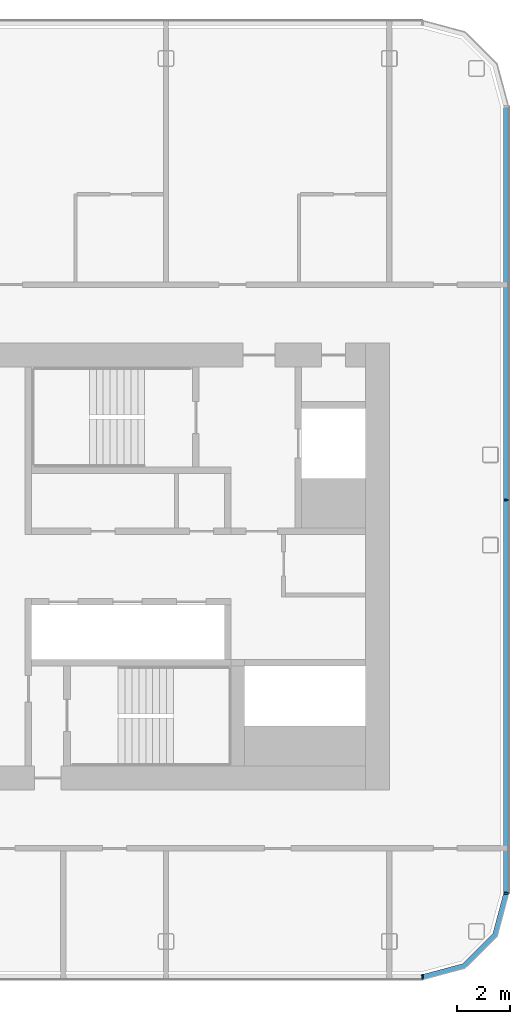
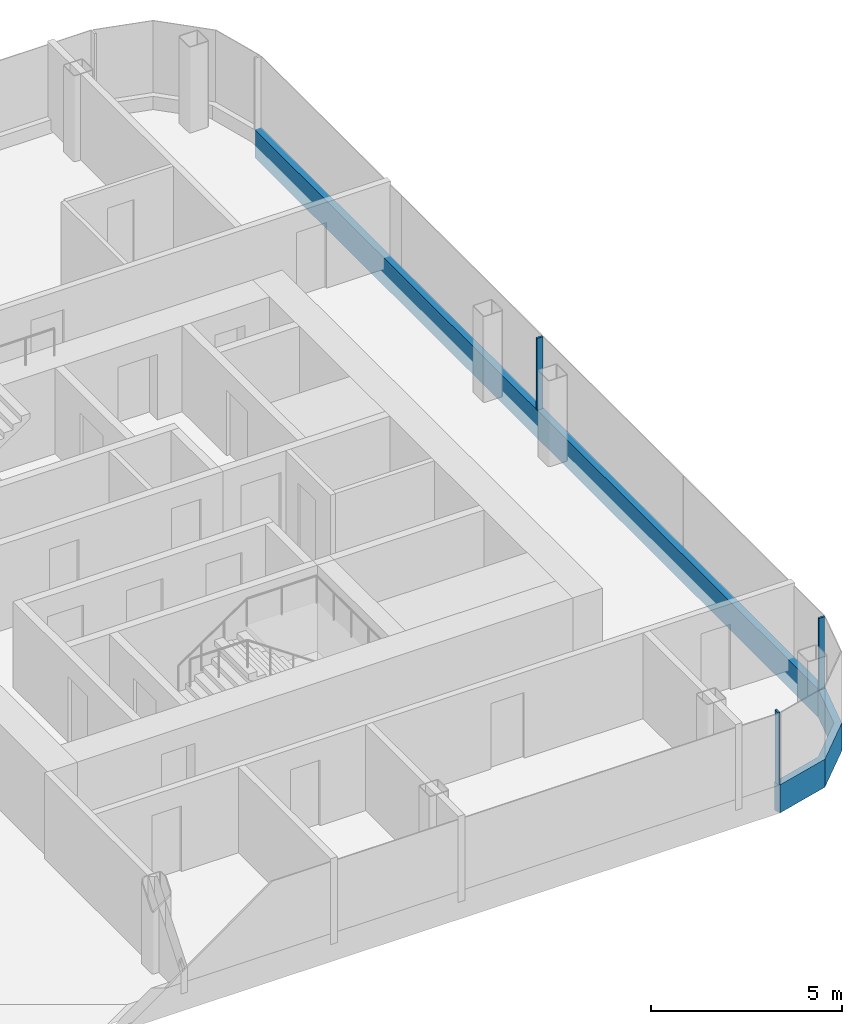
# One storey, part 10 of 25: 5 members, 3 elements without a shape of their own.
"""IFC4 building model written with IfcOpenShell, lengths in metres."""

from ifc_helpers import new_model, si_unit, direction, frame, origin, origin_2d, place, context, subcontext, project, spatial, polyline, rectangle, outline, extrude, material, layer, layer_set, material_profile, profile_set, type_object, element, aggregate, save


model = new_model("IFC4")

# Units and contexts
model_context = context("Model", 3, precision=1e-05, world=origin(), true_north=direction((0.0, 1.0)))
body_context = subcontext(model_context, "Body", "Model", "MODEL_VIEW")
ifc_project = project(units=[si_unit("LENGTHUNIT", "METRE"), si_unit("AREAUNIT", "SQUARE_METRE"), si_unit("VOLUMEUNIT", "CUBIC_METRE"), si_unit("PLANEANGLEUNIT", "RADIAN"), si_unit("MASSUNIT", "GRAM", prefix="KILO")], contexts=[model_context])

# Site, building, storey
site_placement = place(None, origin())
site = spatial("IfcSite", under=ifc_project, at=site_placement, CompositionType="ELEMENT")
building_placement = place(site_placement, origin())
building = spatial("IfcBuilding", under=site, at=building_placement, Name="Hakoniwa Tower and Hamabe Station Hall", CompositionType="ELEMENT")
storey_placement = place(building_placement, frame((0.0, 0.0, 202.60009765625)))
storey = spatial("IfcBuildingStorey", under=building, at=storey_placement, Name="L57", CompositionType="ELEMENT", Elevation=202.60009765625)

# Curtain wall, member
ifc_material_1 = material(Name="Dark low-e laminated glass", Category="glass")
ifc_layer = layer(ifc_material_1, 0.199951171875)
ifc_layer_set = layer_set([ifc_layer], Name="CW-1 UNITISED GUEST")
curtain_wall_type = type_object("IfcCurtainWallType", Name="CW-1 UNITISED GUEST", PredefinedType="NOTDEFINED", material=ifc_layer_set)
curtain_wall_1_placement = place(storey_placement, origin())
curtain_wall_1 = element("IfcCurtainWall", 1, at=curtain_wall_1_placement, inside=storey, type_object=curtain_wall_type, Name="CW-1 curtain wall", PredefinedType="NOTDEFINED")
ifc_material_2 = material(Name="Aluminium 6063-T5 black anodised", Category="aluminium")
ifc_material_profile_1 = material_profile(ifc_material_2, rectangle(XDim=0.199951171875, YDim=0.89990234375, at=origin_2d()), Name="CW SLAB-EDGE BAND 900X200")
ifc_profile_set_1 = profile_set([ifc_material_profile_1], Name="Aluminium 6063-T5 black anodised")
member_type_1 = type_object("IfcMemberType", Name="CW SLAB-EDGE BAND 900X200", PredefinedType="USERDEFINED", material=ifc_profile_set_1)
member_1_placement = place(storey_placement, frame((38.0, -12.28955078125, -0.10009765625), z_axis=(0.0, 1.0, 0.0), x_axis=(-1.0, 0.0, 0.0)))
member_1 = element("IfcMember", 2, at=member_1_placement, type_object=member_type_1, Name="CW-1 transom", ObjectType="TRANSOM", PredefinedType="USERDEFINED", context=body_context, shape_type="SweptSolid", body=[
    extrude(rectangle(XDim=0.199951171875, YDim=0.89990234375, at=origin_2d()), origin(), (0.0, 0.0, 1.0), 29.5791015625),
])

curtain_wall_2_placement = place(storey_placement, origin())
curtain_wall_2 = element("IfcCurtainWall", 3, at=curtain_wall_2_placement, inside=storey, type_object=curtain_wall_type, Name="CW-1 curtain wall", PredefinedType="NOTDEFINED")
member_2_placement = place(storey_placement, frame((0.0, 0.0, -0.550048828125)))
member_2 = element("IfcMember", 4, at=member_2_placement, type_object=member_type_1, Name="CW-1 transom", ObjectType="TRANSOM", PredefinedType="USERDEFINED", context=body_context, shape_type="SweptSolid", body=[
    extrude(outline(polyline([(34.839599609375, -15.550048828125), (36.455322265625, -15.116943359375), (37.6669921875, -13.9052734375), (38.10009765625, -12.28955078125), (37.90673828125, -12.23779296875), (37.48779296875, -13.8017578125), (36.351806640625, -14.937744140625), (34.787841796875, -15.35693359375), (34.839599609375, -15.550048828125)])), origin(), (0.0, 0.0, 1.0), 0.89990234375),
])
aggregate(curtain_wall_2, [member_2])

# Member
ifc_material_3 = material(Name="Aluminium 6063-T5 black anodised", Category="aluminium")
ifc_material_profile_2 = material_profile(ifc_material_3, rectangle(XDim=0.06005859375, YDim=0.179931640625, at=origin_2d()), Name="CW-1 MULLION 60X180")
ifc_profile_set_2 = profile_set([ifc_material_profile_2], Name="Aluminium 6063-T5 black anodised")
member_type_2 = type_object("IfcMemberType", Name="CW-1 MULLION 60X180", PredefinedType="MULLION", material=ifc_profile_set_2)
member_3_placement = place(storey_placement, frame((37.98193359375, -12.28955078125, 0.349853515625), z_axis=(0.0, 0.0, 1.0), x_axis=(0.0, 1.0, 0.0)))
member_3 = element("IfcMember", 5, at=member_3_placement, type_object=member_type_2, Name="CW-1 mullion", PredefinedType="MULLION", context=body_context, shape_type="SweptSolid", body=[
    extrude(rectangle(XDim=0.06005859375, YDim=0.179931640625, at=origin_2d()), origin(), (0.0, 0.0, 1.0), 2.300048828125),
])

member_4_placement = place(storey_placement, frame((37.98193359375, 2.5, 0.349853515625), z_axis=(0.0, 0.0, 1.0), x_axis=(0.0, 1.0, 0.0)))
member_4 = element("IfcMember", 6, at=member_4_placement, type_object=member_type_2, Name="CW-1 mullion", PredefinedType="MULLION", context=body_context, shape_type="SweptSolid", body=[
    extrude(rectangle(XDim=0.06005859375, YDim=0.179931640625, at=origin_2d()), origin(), (0.0, 0.0, 1.0), 2.300048828125),
])

aggregate(curtain_wall_1, [member_3, member_4, member_1])

# Curtain wall, member
curtain_wall_3_placement = place(storey_placement, origin())
curtain_wall_3 = element("IfcCurtainWall", 7, at=curtain_wall_3_placement, inside=storey, type_object=curtain_wall_type, Name="CW-1 curtain wall", PredefinedType="NOTDEFINED")
member_5_placement = place(storey_placement, frame((34.839599609375, -15.431884765625, 0.349853515625), z_axis=(0.0, 0.0, 1.0), x_axis=(1.0, 0.0, 0.0)))
member_5 = element("IfcMember", 8, at=member_5_placement, type_object=member_type_2, Name="CW-1 mullion", PredefinedType="MULLION", context=body_context, shape_type="SweptSolid", body=[
    extrude(rectangle(XDim=0.06005859375, YDim=0.179931640625, at=origin_2d()), origin(), (0.0, 0.0, 1.0), 2.300048828125),
])
aggregate(curtain_wall_3, [member_5])

save(model, "model.ifc")
